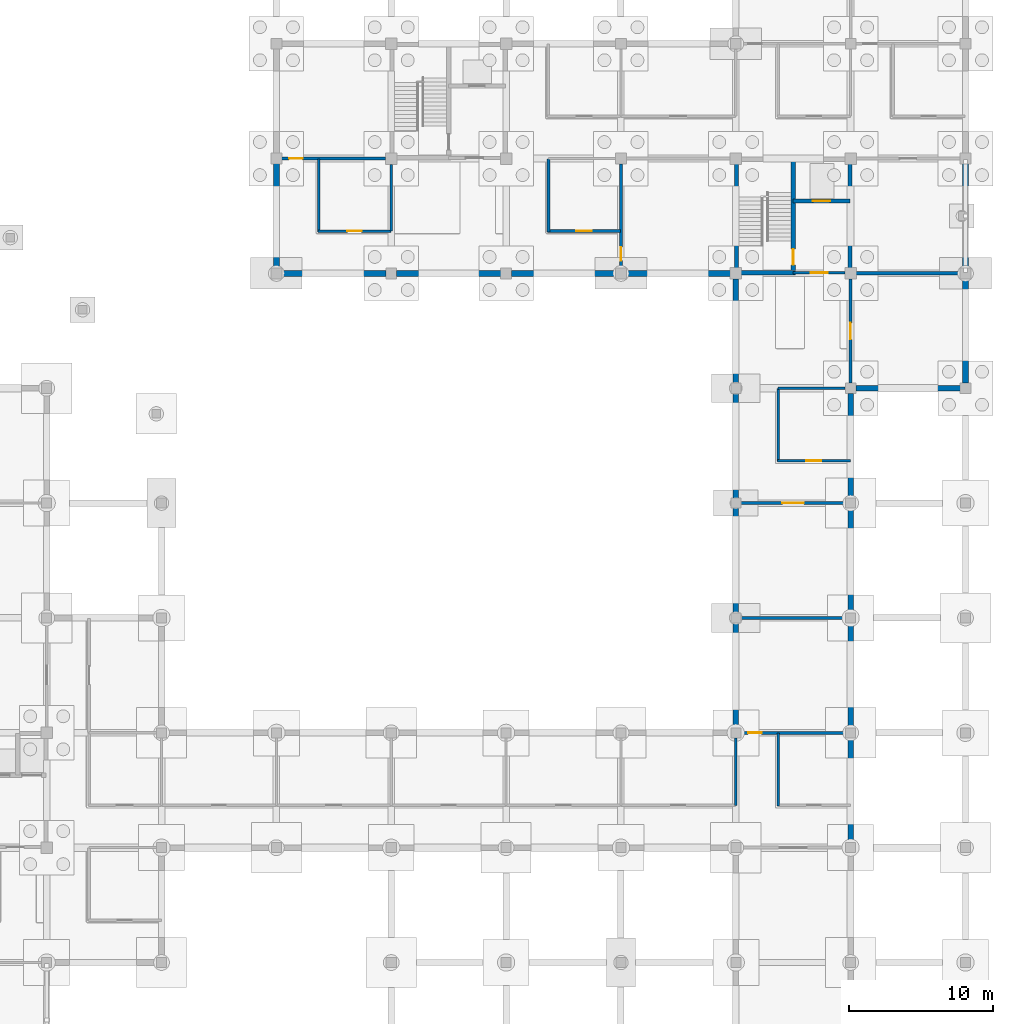
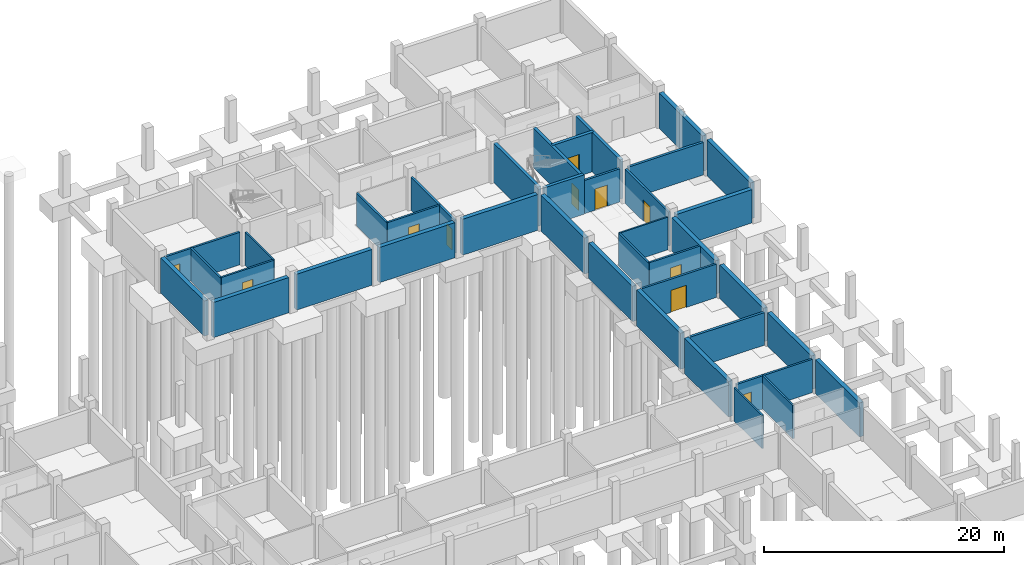
# One storey, part 37 of 48: 39 walls, 11 doors, 11 openings.
"""IFC4 building model written with IfcOpenShell, lengths in metres."""

from ifc_helpers import new_model, si_unit, derived_unit, direction, frame, frame_2d, origin, place, context, subcontext, project, spatial, rectangle, extrude, material, layer, layer_set, type_object, element, fill, save


model = new_model("IFC4")

# Units and contexts
model_context = context("Model", 3, precision=1e-05, world=origin(), true_north=direction((0.0, 1.0)))
body_context = subcontext(model_context, "Body", "Model", "MODEL_VIEW")
ifc_project = project(units=[si_unit("LENGTHUNIT", "METRE"), si_unit("AREAUNIT", "SQUARE_METRE"), si_unit("VOLUMEUNIT", "CUBIC_METRE"), si_unit("PLANEANGLEUNIT", "RADIAN"), si_unit("MASSUNIT", "GRAM", prefix="KILO"), derived_unit("THERMALTRANSMITTANCEUNIT", [(si_unit("MASSUNIT", "GRAM", prefix="KILO"), 1), (si_unit("TIMEUNIT", "SECOND"), -3), (si_unit("THERMODYNAMICTEMPERATUREUNIT", "KELVIN"), -1)])], contexts=[model_context])

# Site, building, storey
site_placement = place(None, origin())
site = spatial("IfcSite", under=ifc_project, at=site_placement, CompositionType="ELEMENT")
building_placement = place(site_placement, origin())
building = spatial("IfcBuilding", under=site, at=building_placement, Name="Veyamyaing Civic Hall", CompositionType="ELEMENT")
storey_placement = place(building_placement, frame((0.0, 0.0, -4.2900390625)))
storey = spatial("IfcBuildingStorey", under=building, at=storey_placement, Name="B1", CompositionType="ELEMENT", Elevation=-4.2900390625)

# Walls
ifc_material_1 = material(Name="Concrete C40/50", Category="concrete")
ifc_layer_1 = layer(ifc_material_1, 0.39990234375, Name="Concrete C40/50")
ifc_layer_set_1 = layer_set([ifc_layer_1], Name="Concrete C40/50")
wall_type_1 = type_object("IfcWallType", Name="WT-01", PredefinedType="SHEAR", material=ifc_layer_set_1)
for number, where, z_axis, x_axis, name in (
    (1, (128.360107421875, 88.0, 0.0), (0.0, 0.0, 1.0), (1.0, 0.0, 0.0), "Basement retaining wall WT-01 S 17.12"),
    (2, (128.0, 88.360107421875, 0.0), (0.0, 0.0, 1.0), (0.0, 1.0, 0.0), "Basement retaining wall WT-01 W 17.12"),
):
    element("IfcWall", number, at=place(storey_placement, frame(where, z_axis=z_axis, x_axis=x_axis)), inside=storey, type_object=wall_type_1, Name=name, PredefinedType="SHEAR", context=body_context, shape_type="SweptSolid", body=[
        extrude(rectangle(XDim=7.27978515625, YDim=0.39990234375, at=frame_2d((3.639892578125, 0.0))), origin(), (0.0, 0.0, 1.0), 3.593994140625),
    ])
wall_1_placement = place(storey_placement, frame((136.360107421875, 88.0, 0.0), z_axis=(0.0, 0.0, 1.0), x_axis=(1.0, 0.0, 0.0)))
element("IfcWall", 3, at=wall_1_placement, inside=storey, type_object=wall_type_1, Name="Basement retaining wall WT-01 S 18.12", PredefinedType="SHEAR", context=body_context, shape_type="SweptSolid", body=[
    extrude(rectangle(XDim=7.27978515625, YDim=0.39990234375, at=frame_2d((3.639892578125, 0.0))), origin(), (0.0, 0.0, 1.0), 3.656982421875),
])
wall_2_placement = place(storey_placement, frame((144.360107421875, 88.0, 0.0), z_axis=(0.0, 0.0, 1.0), x_axis=(1.0, 0.0, 0.0)))
element("IfcWall", 4, at=wall_2_placement, inside=storey, type_object=wall_type_1, Name="Basement retaining wall WT-01 S 19.12", PredefinedType="SHEAR", context=body_context, shape_type="SweptSolid", body=[
    extrude(rectangle(XDim=7.27978515625, YDim=0.39990234375, at=frame_2d((3.639892578125, 0.0))), origin(), (0.0, 0.0, 1.0), 3.590087890625),
])
wall_3_placement = place(storey_placement, frame((152.360107421875, 88.0, 0.0), z_axis=(0.0, 0.0, 1.0), x_axis=(1.0, 0.0, 0.0)))
element("IfcWall", 5, at=wall_3_placement, inside=storey, type_object=wall_type_1, Name="Basement retaining wall WT-01 S 20.12", PredefinedType="SHEAR", context=body_context, shape_type="SweptSolid", body=[
    extrude(rectangle(XDim=7.2548828125, YDim=0.39990234375, at=frame_2d((3.62744140625, 0.0))), origin(), (0.0, 0.0, 1.0), 3.654052734375),
])
wall_4_placement = place(storey_placement, frame((168.0, 48.3349609375, 0.0), z_axis=(0.0, 0.0, 1.0), x_axis=(0.0, 1.0, 0.0)))
element("IfcWall", 6, at=wall_4_placement, inside=storey, type_object=wall_type_1, Name="Basement retaining wall WT-01 E 21.7", PredefinedType="SHEAR", context=body_context, shape_type="SweptSolid", body=[
    extrude(rectangle(XDim=7.330078125, YDim=0.39990234375, at=frame_2d((3.6650390625, 0.0))), origin(), (0.0, 0.0, 1.0), 3.468017578125),
])
wall_5_placement = place(storey_placement, frame((160.0, 56.3349609375, 0.0), z_axis=(0.0, 0.0, 1.0), x_axis=(0.0, 1.0, 0.0)))
element("IfcWall", 7, at=wall_5_placement, inside=storey, type_object=wall_type_1, Name="Basement retaining wall WT-01 W 21.8", PredefinedType="SHEAR", context=body_context, shape_type="SweptSolid", body=[
    extrude(rectangle(XDim=7.330078125, YDim=0.39990234375, at=frame_2d((3.6650390625, 0.0))), origin(), (0.0, 0.0, 1.0), 3.60400390625),
])
wall_6_placement = place(storey_placement, frame((168.0, 56.3349609375, 0.0), z_axis=(0.0, 0.0, 1.0), x_axis=(0.0, 1.0, 0.0)))
element("IfcWall", 8, at=wall_6_placement, inside=storey, type_object=wall_type_1, Name="Basement retaining wall WT-01 E 21.8", PredefinedType="SHEAR", context=body_context, shape_type="SweptSolid", body=[
    extrude(rectangle(XDim=7.330078125, YDim=0.39990234375, at=frame_2d((3.6650390625, 0.0))), origin(), (0.0, 0.0, 1.0), 3.400146484375),
])
wall_7_placement = place(storey_placement, frame((160.0, 64.3349609375, 0.0), z_axis=(0.0, 0.0, 1.0), x_axis=(0.0, 1.0, 0.0)))
element("IfcWall", 9, at=wall_7_placement, inside=storey, type_object=wall_type_1, Name="Basement retaining wall WT-01 W 21.9", PredefinedType="SHEAR", context=body_context, shape_type="SweptSolid", body=[
    extrude(rectangle(XDim=7.330078125, YDim=0.39990234375, at=frame_2d((3.6650390625, 0.0))), origin(), (0.0, 0.0, 1.0), 3.6669921875),
])
wall_8_placement = place(storey_placement, frame((168.0, 64.3349609375, 0.0), z_axis=(0.0, 0.0, 1.0), x_axis=(0.0, 1.0, 0.0)))
element("IfcWall", 10, at=wall_8_placement, inside=storey, type_object=wall_type_1, Name="Basement retaining wall WT-01 E 21.9", PredefinedType="SHEAR", context=body_context, shape_type="SweptSolid", body=[
    extrude(rectangle(XDim=7.330078125, YDim=0.39990234375, at=frame_2d((3.6650390625, 0.0))), origin(), (0.0, 0.0, 1.0), 3.408935546875),
])
wall_9_placement = place(storey_placement, frame((160.0, 72.3349609375, 0.0), z_axis=(0.0, 0.0, 1.0), x_axis=(0.0, 1.0, 0.0)))
element("IfcWall", 11, at=wall_9_placement, inside=storey, type_object=wall_type_1, Name="Basement retaining wall WT-01 W 21.10", PredefinedType="SHEAR", context=body_context, shape_type="SweptSolid", body=[
    extrude(rectangle(XDim=7.330078125, YDim=0.39990234375, at=frame_2d((3.6650390625, 0.0))), origin(), (0.0, 0.0, 1.0), 3.60009765625),
])
wall_10_placement = place(storey_placement, frame((168.0, 72.3349609375, 0.0), z_axis=(0.0, 0.0, 1.0), x_axis=(0.0, 1.0, 0.0)))
element("IfcWall", 12, at=wall_10_placement, inside=storey, type_object=wall_type_1, Name="Basement retaining wall WT-01 E 21.10", PredefinedType="SHEAR", context=body_context, shape_type="SweptSolid", body=[
    extrude(rectangle(XDim=7.304931640625, YDim=0.39990234375, at=frame_2d((3.65234375, 0.0))), origin(), (0.0, 0.0, 1.0), 3.401123046875),
])
wall_11_placement = place(storey_placement, frame((160.0, 80.3349609375, 0.0), z_axis=(0.0, 0.0, 1.0), x_axis=(0.0, 1.0, 0.0)))
element("IfcWall", 13, at=wall_11_placement, inside=storey, type_object=wall_type_1, Name="Basement retaining wall WT-01 W 21.11", PredefinedType="SHEAR", context=body_context, shape_type="SweptSolid", body=[
    extrude(rectangle(XDim=7.280029296875, YDim=0.39990234375, at=frame_2d((3.64013671875, 0.0))), origin(), (0.0, 0.0, 1.0), 3.6640625),
])
wall_12_placement = place(storey_placement, frame((168.360107421875, 80.0, 0.0), z_axis=(0.0, 0.0, 1.0), x_axis=(1.0, 0.0, 0.0)))
element("IfcWall", 14, at=wall_12_placement, inside=storey, type_object=wall_type_1, Name="Basement retaining wall WT-01 S 22.11", PredefinedType="SHEAR", context=body_context, shape_type="SweptSolid", body=[
    extrude(rectangle(XDim=7.27978515625, YDim=0.39990234375, at=frame_2d((3.639892578125, 0.0))), origin(), (0.0, 0.0, 1.0), 3.401123046875),
])
wall_13_placement = place(storey_placement, frame((176.0, 80.360107421875, 0.0), z_axis=(0.0, 0.0, 1.0), x_axis=(0.0, 1.0, 0.0)))
element("IfcWall", 15, at=wall_13_placement, inside=storey, type_object=wall_type_1, Name="Basement retaining wall WT-01 E 22.11", PredefinedType="SHEAR", context=body_context, shape_type="SweptSolid", body=[
    extrude(rectangle(XDim=7.27978515625, YDim=0.39990234375, at=frame_2d((3.639892578125, 0.0))), origin(), (0.0, 0.0, 1.0), 3.6669921875),
])
wall_14_placement = place(storey_placement, frame((176.0, 88.360107421875, 0.0), z_axis=(0.0, 0.0, 1.0), x_axis=(0.0, 1.0, 0.0)))
element("IfcWall", 16, at=wall_14_placement, inside=storey, type_object=wall_type_1, Name="Basement retaining wall WT-01 E 22.12", PredefinedType="SHEAR", context=body_context, shape_type="SweptSolid", body=[
    extrude(rectangle(XDim=7.27978515625, YDim=0.39990234375, at=frame_2d((3.639892578125, 0.0))), origin(), (0.0, 0.0, 1.0), 3.590087890625),
])
ifc_layer_2 = layer(ifc_material_1, 0.300048828125, Name="Concrete C40/50")
ifc_layer_set_2 = layer_set([ifc_layer_2], Name="Concrete C40/50")
wall_type_2 = type_object("IfcWallType", Name="WT-05", PredefinedType="SHEAR", material=ifc_layer_set_2)
for number, where, z_axis, x_axis, name in (
    (17, (160.050048828125, 88.2900390625, 0.0), (0.0, 0.0, 1.0), (0.0, 1.0, 0.0), "Core shear wall WT-05 CORE-3 B1.W"),
    (18, (167.949951171875, 88.2900390625, 0.0), (0.0, 0.0, 1.0), (0.0, 1.0, 0.0), "Core shear wall WT-05 CORE-3 B1.E"),
):
    element("IfcWall", number, at=place(storey_placement, frame(where, z_axis=z_axis, x_axis=x_axis)), inside=storey, type_object=wall_type_2, Name=name, PredefinedType="SHEAR", context=body_context, shape_type="SweptSolid", body=[
        extrude(rectangle(XDim=7.419921875, YDim=0.300048828125, at=frame_2d((3.7099609375, 0.0))), origin(), (0.0, 0.0, 1.0), 4.01513671875),
    ])
wall_15_placement = place(storey_placement, frame((160.2900390625, 88.050048828125, 0.0), z_axis=(0.0, 0.0, 1.0), x_axis=(1.0, 0.0, 0.0)))
element("IfcWall", 19, at=wall_15_placement, inside=storey, type_object=wall_type_2, Name="Core shear wall WT-05 CORE-3 B1.SS", PredefinedType="SHEAR", context=body_context, shape_type="SweptSolid", body=[
    extrude(rectangle(XDim=3.85986328125, YDim=0.300048828125, at=frame_2d((1.929931640625, 0.0))), origin(), (0.0, 0.0, 1.0), 4.01513671875),
])

# Wall, opening, door
wall_16_placement = place(storey_placement, frame((164.0, 88.050048828125, 0.0), z_axis=(0.0, 0.0, 1.0), x_axis=(0.0, 1.0, 0.0)))
wall_16 = element("IfcWall", 20, at=wall_16_placement, inside=storey, type_object=wall_type_2, Name="Core shear wall WT-05 CORE-3 B1.MID", PredefinedType="SHEAR", context=body_context, shape_type="SweptSolid", body=[
    extrude(rectangle(XDim=7.89990234375, YDim=0.300048828125, at=frame_2d((3.949951171875, 0.0))), origin(), (0.0, 0.0, 1.0), 4.01513671875),
])
opening_1_placement = place(wall_16_placement, frame((0.550048828125, 0.0, 0.0)))
opening_1 = element("IfcOpeningElement", 21, at=opening_1_placement, cuts=wall_16, Name="Opening D-03", PredefinedType="OPENING", context=body_context, shape_type="SweptSolid", body=[
    extrude(rectangle(XDim=1.10009765625, YDim=2.14990234375, at=frame_2d((0.550048828125, 1.074951171875))), frame((0.0, 0.159912109375, 0.0), z_axis=(0.0, -1.0, 0.0), x_axis=(1.0, 0.0, 0.0)), (0.0, 0.0, 1.0), 0.320068359375),
])
ifc_material_2 = material(Name="Galvanized steel S355J2", Category="steel")
door_type_1 = type_object("IfcDoorType", Name="D-03", OperationType="NOTDEFINED", PredefinedType="DOOR", material=ifc_material_2)
door_1_placement = place(opening_1_placement, origin())
door_1 = element("IfcDoor", 22, at=door_1_placement, inside=storey, type_object=door_type_1, Name="Exit stair fire door D-03 ST-03 B1", OperationType="SINGLE_SWING_LEFT", OverallHeight=2.14990234375, OverallWidth=1.10009765625, PredefinedType="DOOR", context=body_context, shape_type="SweptSolid", body=[
    extrude(rectangle(XDim=1.10009765625, YDim=2.14990234375, at=frame_2d((0.550048828125, 1.074951171875))), frame((0.0, 0.02490234375, 0.0), z_axis=(0.0, -1.0, 0.0), x_axis=(1.0, 0.0, 0.0)), (0.0, 0.0, 1.0), 0.050048828125),
])
fill(opening_1, door_1)

wall_17_placement = place(storey_placement, frame((164.0, 93.050048828125, 0.0), z_axis=(0.0, 0.0, 1.0), x_axis=(1.0, 0.0, 0.0)))
wall_17 = element("IfcWall", 23, at=wall_17_placement, inside=storey, type_object=wall_type_2, Name="Core shear wall WT-05 CORE-3 B1.LFT", PredefinedType="SHEAR", context=body_context, shape_type="SweptSolid", body=[
    extrude(rectangle(XDim=3.949951171875, YDim=0.300048828125, at=frame_2d((1.97509765625, 0.0))), origin(), (0.0, 0.0, 1.0), 4.01513671875),
])
opening_2_placement = place(wall_17_placement, frame((1.375, 0.0, 0.0)))
opening_2 = element("IfcOpeningElement", 24, at=opening_2_placement, cuts=wall_17, Name="Opening LD-02", PredefinedType="OPENING", context=body_context, shape_type="SweptSolid", body=[
    extrude(rectangle(XDim=1.199951171875, YDim=2.199951171875, at=frame_2d((0.60009765625, 1.10009765625))), frame((0.0, 0.159912109375, 0.0), z_axis=(0.0, -1.0, 0.0), x_axis=(1.0, 0.0, 0.0)), (0.0, 0.0, 1.0), 0.320068359375),
])
door_type_2 = type_object("IfcDoorType", Name="LD-02", OperationType="SLIDING_TO_LEFT", PredefinedType="DOOR", material=ifc_material_2)
door_2_placement = place(opening_2_placement, origin())
door_2 = element("IfcDoor", 25, at=door_2_placement, inside=storey, type_object=door_type_2, Name="Lift sliding landing door LD-02 FL-02 B1", OperationType="SLIDING_TO_LEFT", OverallHeight=2.199951171875, OverallWidth=1.199951171875, PredefinedType="DOOR", context=body_context, shape_type="SweptSolid", body=[
    extrude(rectangle(XDim=1.199951171875, YDim=2.199951171875, at=frame_2d((0.60009765625, 1.10009765625))), frame((0.0, 0.02490234375, 0.0), z_axis=(0.0, -1.0, 0.0), x_axis=(1.0, 0.0, 0.0)), (0.0, 0.0, 1.0), 0.050048828125),
])
fill(opening_2, door_2)

ifc_layer_3 = layer(ifc_material_1, 0.199951171875, Name="Concrete C40/50")
ifc_layer_set_3 = layer_set([ifc_layer_3], Name="Concrete C40/50")
wall_type_3 = type_object("IfcWallType", Name="WT-06", PredefinedType="PARTITIONING", material=ifc_layer_set_3)
wall_18_placement = place(storey_placement, frame((164.0, 88.050048828125, 0.0), z_axis=(0.0, 0.0, 1.0), x_axis=(1.0, 0.0, 0.0)))
wall_18 = element("IfcWall", 26, at=wall_18_placement, inside=storey, type_object=wall_type_3, Name="Firefighting lift lobby wall WT-06 CORE-3 B1", PredefinedType="PARTITIONING", context=body_context, shape_type="SweptSolid", body=[
    extrude(rectangle(XDim=3.610107421875, YDim=0.199951171875, at=frame_2d((1.80517578125, 0.0))), origin(), (0.0, 0.0, 1.0), 3.384033203125),
])
opening_3_placement = place(wall_18_placement, frame((1.205078125, 0.0, 0.0)))
opening_3 = element("IfcOpeningElement", 27, at=opening_3_placement, cuts=wall_18, Name="Opening D-04", PredefinedType="OPENING", context=body_context, shape_type="SweptSolid", body=[
    extrude(rectangle(XDim=1.199951171875, YDim=2.14990234375, at=frame_2d((0.60009765625, 1.074951171875))), frame((0.0, 0.10986328125, 0.0), z_axis=(0.0, -1.0, 0.0), x_axis=(1.0, 0.0, 0.0)), (0.0, 0.0, 1.0), 0.219970703125),
])
door_type_3 = type_object("IfcDoorType", Name="D-04", OperationType="NOTDEFINED", PredefinedType="DOOR", material=ifc_material_2)
door_3_placement = place(opening_3_placement, frame((1.199951171875, 0.0, 0.0), z_axis=(0.0, 0.0, 1.0), x_axis=(-1.0, 0.0, 0.0)))
door_3 = element("IfcDoor", 28, at=door_3_placement, inside=storey, type_object=door_type_3, Name="Protected lobby fire door D-04 CORE-3 B1", OperationType="SINGLE_SWING_RIGHT", OverallHeight=2.14990234375, OverallWidth=1.199951171875, PredefinedType="DOOR", context=body_context, shape_type="SweptSolid", body=[
    extrude(rectangle(XDim=1.199951171875, YDim=2.14990234375, at=frame_2d((0.60009765625, 1.074951171875))), frame((0.0, 0.02490234375, 0.0), z_axis=(0.0, -1.0, 0.0), x_axis=(1.0, 0.0, 0.0)), (0.0, 0.0, 1.0), 0.050048828125),
])
fill(opening_3, door_3)

wall_19_placement = place(storey_placement, frame((128.364990234375, 96.0, 0.0), z_axis=(0.0, 0.0, 1.0), x_axis=(1.0, 0.0, 0.0)))
wall_19 = element("IfcWall", 29, at=wall_19_placement, inside=storey, type_object=wall_type_3, Name="Interior partition wall WT-06 B1.60", PredefinedType="PARTITIONING", context=body_context, shape_type="SweptSolid", body=[
    extrude(rectangle(XDim=7.2451171875, YDim=0.199951171875, at=frame_2d((3.62255859375, 0.0))), origin(), (0.0, 0.0, 1.0), 3.30712890625),
])
opening_4_placement = place(wall_19_placement, frame((0.52001953125, 0.0, 0.0)))
opening_4 = element("IfcOpeningElement", 30, at=opening_4_placement, cuts=wall_19, Name="Opening D-30", PredefinedType="OPENING", context=body_context, shape_type="SweptSolid", body=[
    extrude(rectangle(XDim=0.93994140625, YDim=2.1201171875, at=frame_2d((0.469970703125, 1.06005859375))), frame((0.0, 0.10986328125, 0.0), z_axis=(0.0, -1.0, 0.0), x_axis=(1.0, 0.0, 0.0)), (0.0, 0.0, 1.0), 0.219970703125),
])
ifc_material_3 = material(Name="Teak-veneered acoustic timber", Category="wood")
door_type_4 = type_object("IfcDoorType", Name="D-30", OperationType="NOTDEFINED", PredefinedType="DOOR", material=ifc_material_3)
door_4_placement = place(opening_4_placement, origin())
door_4 = element("IfcDoor", 31, at=door_4_placement, inside=storey, type_object=door_type_4, Name="Interior door D-30 B1.60", OperationType="SINGLE_SWING_RIGHT", OverallHeight=2.1201171875, OverallWidth=0.93994140625, PredefinedType="DOOR", context=body_context, shape_type="SweptSolid", body=[
    extrude(rectangle(XDim=0.93994140625, YDim=2.1201171875, at=frame_2d((0.469970703125, 1.06005859375))), frame((0.0, 0.02490234375, 0.0), z_axis=(0.0, -1.0, 0.0), x_axis=(1.0, 0.0, 0.0)), (0.0, 0.0, 1.0), 0.050048828125),
])
fill(opening_4, door_4)

wall_20_placement = place(storey_placement, frame((152.0, 88.364990234375, 0.0), z_axis=(0.0, 0.0, 1.0), x_axis=(0.0, 1.0, 0.0)))
wall_20 = element("IfcWall", 32, at=wall_20_placement, inside=storey, type_object=wall_type_3, Name="Interior partition wall WT-06 B1.61", PredefinedType="PARTITIONING", context=body_context, shape_type="SweptSolid", body=[
    extrude(rectangle(XDim=7.27001953125, YDim=0.199951171875, at=frame_2d((3.635009765625, 0.0))), origin(), (0.0, 0.0, 1.0), 3.384033203125),
])
opening_5_placement = place(wall_20_placement, frame((0.52001953125, 0.0, 0.0)))
opening_5 = element("IfcOpeningElement", 33, at=opening_5_placement, cuts=wall_20, Name="Opening D-30", PredefinedType="OPENING", context=body_context, shape_type="SweptSolid", body=[
    extrude(rectangle(XDim=0.93994140625, YDim=2.1201171875, at=frame_2d((0.469970703125, 1.06005859375))), frame((0.0, 0.10986328125, 0.0), z_axis=(0.0, -1.0, 0.0), x_axis=(1.0, 0.0, 0.0)), (0.0, 0.0, 1.0), 0.219970703125),
])
door_5_placement = place(opening_5_placement, frame((0.93994140625, 0.0, 0.0), z_axis=(0.0, 0.0, 1.0), x_axis=(-1.0, 0.0, 0.0)))
door_5 = element("IfcDoor", 34, at=door_5_placement, inside=storey, type_object=door_type_4, Name="Interior door D-30 B1.61", OperationType="SINGLE_SWING_LEFT", OverallHeight=2.1201171875, OverallWidth=0.93994140625, PredefinedType="DOOR", context=body_context, shape_type="SweptSolid", body=[
    extrude(rectangle(XDim=0.93994140625, YDim=2.1201171875, at=frame_2d((0.469970703125, 1.06005859375))), frame((0.0, 0.02490234375, 0.0), z_axis=(0.0, -1.0, 0.0), x_axis=(1.0, 0.0, 0.0)), (0.0, 0.0, 1.0), 0.050048828125),
])
fill(opening_5, door_5)

wall_21_placement = place(storey_placement, frame((160.340087890625, 56.0, 0.0), z_axis=(0.0, 0.0, 1.0), x_axis=(1.0, 0.0, 0.0)))
wall_21 = element("IfcWall", 35, at=wall_21_placement, inside=storey, type_object=wall_type_3, Name="Interior partition wall WT-06 B1.66", PredefinedType="PARTITIONING", context=body_context, shape_type="SweptSolid", body=[
    extrude(rectangle(XDim=7.31982421875, YDim=0.199951171875, at=frame_2d((3.659912109375, 0.0))), origin(), (0.0, 0.0, 1.0), 3.39404296875),
])
opening_6_placement = place(wall_21_placement, frame((0.52001953125, 0.0, 0.0)))
opening_6 = element("IfcOpeningElement", 36, at=opening_6_placement, cuts=wall_21, Name="Opening D-30", PredefinedType="OPENING", context=body_context, shape_type="SweptSolid", body=[
    extrude(rectangle(XDim=0.93994140625, YDim=2.1201171875, at=frame_2d((0.469970703125, 1.06005859375))), frame((0.0, 0.10986328125, 0.0), z_axis=(0.0, -1.0, 0.0), x_axis=(1.0, 0.0, 0.0)), (0.0, 0.0, 1.0), 0.219970703125),
])
door_6_placement = place(opening_6_placement, origin())
door_6 = element("IfcDoor", 37, at=door_6_placement, inside=storey, type_object=door_type_4, Name="Interior door D-30 B1.66", OperationType="SINGLE_SWING_RIGHT", OverallHeight=2.1201171875, OverallWidth=0.93994140625, PredefinedType="DOOR", context=body_context, shape_type="SweptSolid", body=[
    extrude(rectangle(XDim=0.93994140625, YDim=2.1201171875, at=frame_2d((0.469970703125, 1.06005859375))), frame((0.0, 0.02490234375, 0.0), z_axis=(0.0, -1.0, 0.0), x_axis=(1.0, 0.0, 0.0)), (0.0, 0.0, 1.0), 0.050048828125),
])
fill(opening_6, door_6)

wall_22_placement = place(storey_placement, frame((160.340087890625, 72.0, 0.0), z_axis=(0.0, 0.0, 1.0), x_axis=(1.0, 0.0, 0.0)))
wall_22 = element("IfcWall", 38, at=wall_22_placement, inside=storey, type_object=wall_type_3, Name="Interior partition wall WT-06 B1.68", PredefinedType="PARTITIONING", context=body_context, shape_type="SweptSolid", body=[
    extrude(rectangle(XDim=7.31982421875, YDim=0.199951171875, at=frame_2d((3.659912109375, 0.0))), origin(), (0.0, 0.0, 1.0), 3.39306640625),
])
opening_7_placement = place(wall_22_placement, frame((2.909912109375, 0.0, 0.0)))
opening_7 = element("IfcOpeningElement", 39, at=opening_7_placement, cuts=wall_22, Name="Opening D-10", PredefinedType="OPENING", context=body_context, shape_type="SweptSolid", body=[
    extrude(rectangle(XDim=1.5, YDim=2.25, at=frame_2d((0.75, 1.125))), frame((0.0, 0.10986328125, 0.0), z_axis=(0.0, -1.0, 0.0), x_axis=(1.0, 0.0, 0.0)), (0.0, 0.0, 1.0), 0.219970703125),
])
door_type_5 = type_object("IfcDoorType", Name="D-10", OperationType="DOUBLE_DOOR_SINGLE_SWING", PredefinedType="DOOR", material=ifc_material_2)
door_7_placement = place(opening_7_placement, frame((1.5, 0.0, 0.0), z_axis=(0.0, 0.0, 1.0), x_axis=(-1.0, 0.0, 0.0)))
door_7 = element("IfcDoor", 40, at=door_7_placement, inside=storey, type_object=door_type_5, Name="Interior door D-10 B1.68", OperationType="DOUBLE_DOOR_SINGLE_SWING", OverallHeight=2.25, OverallWidth=1.5, PredefinedType="DOOR", context=body_context, shape_type="SweptSolid", body=[
    extrude(rectangle(XDim=1.5, YDim=2.25, at=frame_2d((0.75, 1.125))), frame((0.0, 0.02490234375, 0.0), z_axis=(0.0, -1.0, 0.0), x_axis=(1.0, 0.0, 0.0)), (0.0, 0.0, 1.0), 0.050048828125),
])
fill(opening_7, door_7)

wall_23_placement = place(storey_placement, frame((168.0, 80.364990234375, 0.0), z_axis=(0.0, 0.0, 1.0), x_axis=(0.0, 1.0, 0.0)))
wall_23 = element("IfcWall", 41, at=wall_23_placement, inside=storey, type_object=wall_type_3, Name="Interior partition wall WT-06 B1.69", PredefinedType="PARTITIONING", context=body_context, shape_type="SweptSolid", body=[
    extrude(rectangle(XDim=7.2451171875, YDim=0.199951171875, at=frame_2d((3.62255859375, 0.0))), origin(), (0.0, 0.0, 1.0), 3.4609375),
])
opening_8_placement = place(wall_23_placement, frame((3.047607421875, 0.0, 0.0)))
opening_8 = element("IfcOpeningElement", 42, at=opening_8_placement, cuts=wall_23, Name="Opening D-17", PredefinedType="OPENING", context=body_context, shape_type="SweptSolid", body=[
    extrude(rectangle(XDim=1.14990234375, YDim=2.14990234375, at=frame_2d((0.574951171875, 1.074951171875))), frame((0.0, 0.10986328125, 0.0), z_axis=(0.0, -1.0, 0.0), x_axis=(1.0, 0.0, 0.0)), (0.0, 0.0, 1.0), 0.219970703125),
])
door_type_6 = type_object("IfcDoorType", Name="D-17", OperationType="NOTDEFINED", PredefinedType="DOOR", material=ifc_material_2)
door_8_placement = place(opening_8_placement, frame((1.14990234375, 0.0, 0.0), z_axis=(0.0, 0.0, 1.0), x_axis=(-1.0, 0.0, 0.0)))
door_8 = element("IfcDoor", 43, at=door_8_placement, inside=storey, type_object=door_type_6, Name="Interior door D-17 B1.69", OperationType="SINGLE_SWING_LEFT", OverallHeight=2.14990234375, OverallWidth=1.14990234375, PredefinedType="DOOR", context=body_context, shape_type="SweptSolid", body=[
    extrude(rectangle(XDim=1.14990234375, YDim=2.14990234375, at=frame_2d((0.574951171875, 1.074951171875))), frame((0.0, 0.02490234375, 0.0), z_axis=(0.0, -1.0, 0.0), x_axis=(1.0, 0.0, 0.0)), (0.0, 0.0, 1.0), 0.050048828125),
])
fill(opening_8, door_8)

ifc_material_4 = material(Name="Gypsum board on acoustic steel stud", Category="steel")
ifc_layer_4 = layer(ifc_material_4, 0.175048828125, Name="Gypsum board on acoustic steel stud")
ifc_layer_set_4 = layer_set([ifc_layer_4], Name="Gypsum board on acoustic steel stud")
wall_type_4 = type_object("IfcWallType", Name="WT-07", PredefinedType="PARTITIONING", material=ifc_layer_set_4)
wall_24_placement = place(storey_placement, frame((130.89990234375, 90.949951171875, 0.0), z_axis=(0.0, 0.0, 1.0), x_axis=(1.0, 0.0, 0.0)))
wall_24 = element("IfcWall", 44, at=wall_24_placement, inside=storey, type_object=wall_type_4, Name="Corridor gallery partition WT-07 B1.41.1", PredefinedType="PARTITIONING", context=body_context, shape_type="SweptSolid", body=[
    extrude(rectangle(XDim=5.080078125, YDim=0.175048828125, at=frame_2d((2.5400390625, 0.0))), origin(), (0.0, 0.0, 1.0), 3.383056640625),
])
opening_9_placement = place(wall_24_placement, frame((2.0400390625, 0.0, 0.0)))
opening_9 = element("IfcOpeningElement", 45, at=opening_9_placement, cuts=wall_24, Name="Opening D-13", PredefinedType="OPENING", context=body_context, shape_type="SweptSolid", body=[
    extrude(rectangle(XDim=1.0, YDim=2.14990234375, at=frame_2d((0.5, 1.074951171875))), frame((0.0, 0.097412109375, 0.0), z_axis=(0.0, -1.0, 0.0), x_axis=(1.0, 0.0, 0.0)), (0.0, 0.0, 1.0), 0.195068359375),
])
door_type_7 = type_object("IfcDoorType", Name="D-13", OperationType="NOTDEFINED", PredefinedType="DOOR", material=ifc_material_3)
door_9_placement = place(opening_9_placement, origin())
door_9 = element("IfcDoor", 46, at=door_9_placement, inside=storey, type_object=door_type_7, Name="Gallery office door D-13 B1.41", OperationType="SINGLE_SWING_LEFT", OverallHeight=2.14990234375, OverallWidth=1.0, PredefinedType="DOOR", context=body_context, shape_type="SweptSolid", body=[
    extrude(rectangle(XDim=1.0, YDim=2.14990234375, at=frame_2d((0.5, 1.074951171875))), frame((0.0, 0.02490234375, 0.0), z_axis=(0.0, -1.0, 0.0), x_axis=(1.0, 0.0, 0.0)), (0.0, 0.0, 1.0), 0.050048828125),
])
fill(opening_9, door_9)

# Walls
wall_25_placement = place(storey_placement, frame((130.949951171875, 90.89990234375, 0.0), z_axis=(0.0, 0.0, 1.0), x_axis=(0.0, 1.0, 0.0)))
element("IfcWall", 47, at=wall_25_placement, inside=storey, type_object=wall_type_4, Name="Corridor gallery partition WT-07 B1.41.2", PredefinedType="PARTITIONING", context=body_context, shape_type="SweptSolid", body=[
    extrude(rectangle(XDim=5.080078125, YDim=0.175048828125, at=frame_2d((2.5400390625, 0.0))), origin(), (0.0, 0.0, 1.0), 3.30712890625),
])
wall_26_placement = place(storey_placement, frame((162.949951171875, 50.89990234375, 0.0), z_axis=(0.0, 0.0, 1.0), x_axis=(0.0, 1.0, 0.0)))
element("IfcWall", 48, at=wall_26_placement, inside=storey, type_object=wall_type_4, Name="Corridor gallery partition WT-07 B1.49.2", PredefinedType="PARTITIONING", context=body_context, shape_type="SweptSolid", body=[
    extrude(rectangle(XDim=5.080078125, YDim=0.175048828125, at=frame_2d((2.5400390625, 0.0))), origin(), (0.0, 0.0, 1.0), 3.39404296875),
])
ifc_material_5 = material(Name="Gypsum board on steel stud", Category="steel")
ifc_layer_5 = layer(ifc_material_5, 0.14990234375, Name="Gypsum board on steel stud")
ifc_layer_set_5 = layer_set([ifc_layer_5], Name="Gypsum board on steel stud")
wall_type_5 = type_object("IfcWallType", Name="WT-08", PredefinedType="PARTITIONING", material=ifc_layer_set_5)
wall_27_placement = place(storey_placement, frame((136.0, 90.949951171875, 0.0), z_axis=(0.0, 0.0, 1.0), x_axis=(0.0, 1.0, 0.0)))
element("IfcWall", 49, at=wall_27_placement, inside=storey, type_object=wall_type_5, Name="Gallery office end partition WT-08 B1.41.2", PredefinedType="PARTITIONING", context=body_context, shape_type="SweptSolid", body=[
    extrude(rectangle(XDim=4.64013671875, YDim=0.14990234375, at=frame_2d((2.320068359375, 0.0))), origin(), (0.0, 0.0, 1.0), 3.383056640625),
])
wall_28_placement = place(storey_placement, frame((160.0, 50.949951171875, 0.0), z_axis=(0.0, 0.0, 1.0), x_axis=(0.0, 1.0, 0.0)))
element("IfcWall", 50, at=wall_28_placement, inside=storey, type_object=wall_type_5, Name="Gallery office end partition WT-08 B1.46.2", PredefinedType="PARTITIONING", context=body_context, shape_type="SweptSolid", body=[
    extrude(rectangle(XDim=4.68994140625, YDim=0.14990234375, at=frame_2d((2.344970703125, 0.0))), origin(), (0.0, 0.0, 1.0), 3.39404296875),
])
wall_29_placement = place(storey_placement, frame((162.949951171875, 80.0, 0.0), z_axis=(0.0, 0.0, 1.0), x_axis=(1.0, 0.0, 0.0)))
element("IfcWall", 51, at=wall_29_placement, inside=storey, type_object=wall_type_5, Name="Gallery office end partition WT-08 B1.50.1", PredefinedType="PARTITIONING", context=body_context, shape_type="SweptSolid", body=[
    extrude(rectangle(XDim=4.6650390625, YDim=0.14990234375, at=frame_2d((2.33251953125, 0.0))), origin(), (0.0, 0.0, 1.0), 3.325927734375),
])
ifc_layer_6 = layer(ifc_material_1, 0.235107421875, Name="Concrete C40/50")
ifc_layer_set_6 = layer_set([ifc_layer_6], Name="Concrete C40/50")
wall_type_6 = type_object("IfcWallType", Name="WT-13", PredefinedType="PARTITIONING", material=ifc_layer_set_6)
wall_30_placement = place(storey_placement, frame((160.340087890625, 64.0, 0.0), z_axis=(0.0, 0.0, 1.0), x_axis=(1.0, 0.0, 0.0)))
element("IfcWall", 52, at=wall_30_placement, inside=storey, type_object=wall_type_6, Name="Interior partition wall WT-13 B1.67", PredefinedType="PARTITIONING", context=body_context, shape_type="SweptSolid", body=[
    extrude(rectangle(XDim=7.31982421875, YDim=0.235107421875, at=frame_2d((3.659912109375, 0.0))), origin(), (0.0, 0.0, 1.0), 3.317138671875),
])
wall_31_placement = place(storey_placement, frame((168.389892578125, 88.0, 0.0), z_axis=(0.0, 0.0, 1.0), x_axis=(1.0, 0.0, 0.0)))
element("IfcWall", 53, at=wall_31_placement, inside=storey, type_object=wall_type_6, Name="Interior partition wall WT-13 B1.72", PredefinedType="PARTITIONING", context=body_context, shape_type="SweptSolid", body=[
    extrude(rectangle(XDim=7.2451171875, YDim=0.235107421875, at=frame_2d((3.62255859375, 0.0))), origin(), (0.0, 0.0, 1.0), 3.30712890625),
])

# Wall, opening, door
ifc_material_6 = material(Name="Gypsum board on double acoustic stud")
ifc_layer_7 = layer(ifc_material_6, 0.18505859375, Name="Gypsum board on double acoustic stud")
ifc_layer_set_7 = layer_set([ifc_layer_7], Name="Gypsum board on double acoustic stud")
wall_type_7 = type_object("IfcWallType", Name="WT-19", PredefinedType="PARTITIONING", material=ifc_layer_set_7)
wall_32_placement = place(storey_placement, frame((146.89990234375, 90.949951171875, 0.0), z_axis=(0.0, 0.0, 1.0), x_axis=(1.0, 0.0, 0.0)))
wall_32 = element("IfcWall", 54, at=wall_32_placement, inside=storey, type_object=wall_type_7, Name="Corridor gallery partition WT-19 B1.44.1", PredefinedType="PARTITIONING", context=body_context, shape_type="SweptSolid", body=[
    extrude(rectangle(XDim=5.080078125, YDim=0.18505859375, at=frame_2d((2.5400390625, 0.0))), origin(), (0.0, 0.0, 1.0), 3.384033203125),
])
opening_10_placement = place(wall_32_placement, frame((2.0, 0.0, 0.0)))
opening_10 = element("IfcOpeningElement", 55, at=opening_10_placement, cuts=wall_32, Name="Opening D-23", PredefinedType="OPENING", context=body_context, shape_type="SweptSolid", body=[
    extrude(rectangle(XDim=1.080078125, YDim=2.199951171875, at=frame_2d((0.5400390625, 1.10009765625))), frame((0.0, 0.1025390625, 0.0), z_axis=(0.0, -1.0, 0.0), x_axis=(1.0, 0.0, 0.0)), (0.0, 0.0, 1.0), 0.205078125),
])
door_type_8 = type_object("IfcDoorType", Name="D-23", OperationType="NOTDEFINED", PredefinedType="DOOR", material=ifc_material_3)
door_10_placement = place(opening_10_placement, origin())
door_10 = element("IfcDoor", 56, at=door_10_placement, inside=storey, type_object=door_type_8, Name="Gallery office door D-23 B1.44", OperationType="SINGLE_SWING_RIGHT", OverallHeight=2.199951171875, OverallWidth=1.080078125, PredefinedType="DOOR", context=body_context, shape_type="SweptSolid", body=[
    extrude(rectangle(XDim=1.080078125, YDim=2.199951171875, at=frame_2d((0.5400390625, 1.10009765625))), frame((0.0, 0.02490234375, 0.0), z_axis=(0.0, -1.0, 0.0), x_axis=(1.0, 0.0, 0.0)), (0.0, 0.0, 1.0), 0.050048828125),
])
fill(opening_10, door_10)

# Wall
wall_33_placement = place(storey_placement, frame((146.949951171875, 90.89990234375, 0.0), z_axis=(0.0, 0.0, 1.0), x_axis=(0.0, 1.0, 0.0)))
element("IfcWall", 57, at=wall_33_placement, inside=storey, type_object=wall_type_7, Name="Corridor gallery partition WT-19 B1.44.2", PredefinedType="PARTITIONING", context=body_context, shape_type="SweptSolid", body=[
    extrude(rectangle(XDim=5.080078125, YDim=0.18505859375, at=frame_2d((2.5400390625, 0.0))), origin(), (0.0, 0.0, 1.0), 3.31591796875),
])

# Wall, opening, door
wall_34_placement = place(storey_placement, frame((162.89990234375, 74.949951171875, 0.0), z_axis=(0.0, 0.0, 1.0), x_axis=(1.0, 0.0, 0.0)))
wall_34 = element("IfcWall", 58, at=wall_34_placement, inside=storey, type_object=wall_type_7, Name="Corridor gallery partition WT-19 B1.50.1", PredefinedType="PARTITIONING", context=body_context, shape_type="SweptSolid", body=[
    extrude(rectangle(XDim=5.080078125, YDim=0.18505859375, at=frame_2d((2.5400390625, 0.0))), origin(), (0.0, 0.0, 1.0), 3.39404296875),
])
opening_11_placement = place(wall_34_placement, frame((2.014892578125, 0.0, 0.0)))
opening_11 = element("IfcOpeningElement", 59, at=opening_11_placement, cuts=wall_34, Name="Opening D-12", PredefinedType="OPENING", context=body_context, shape_type="SweptSolid", body=[
    extrude(rectangle(XDim=1.050048828125, YDim=2.14990234375, at=frame_2d((0.52490234375, 1.074951171875))), frame((0.0, 0.1025390625, 0.0), z_axis=(0.0, -1.0, 0.0), x_axis=(1.0, 0.0, 0.0)), (0.0, 0.0, 1.0), 0.205078125),
])
door_type_9 = type_object("IfcDoorType", Name="D-12", OperationType="NOTDEFINED", PredefinedType="DOOR", material=ifc_material_3)
door_11_placement = place(opening_11_placement, origin())
door_11 = element("IfcDoor", 60, at=door_11_placement, inside=storey, type_object=door_type_9, Name="Gallery office door D-12 B1.50", OperationType="SINGLE_SWING_RIGHT", OverallHeight=2.14990234375, OverallWidth=1.050048828125, PredefinedType="DOOR", context=body_context, shape_type="SweptSolid", body=[
    extrude(rectangle(XDim=1.050048828125, YDim=2.14990234375, at=frame_2d((0.52490234375, 1.074951171875))), frame((0.0, 0.02490234375, 0.0), z_axis=(0.0, -1.0, 0.0), x_axis=(1.0, 0.0, 0.0)), (0.0, 0.0, 1.0), 0.050048828125),
])
fill(opening_11, door_11)

# Wall
wall_35_placement = place(storey_placement, frame((162.949951171875, 74.89990234375, 0.0), z_axis=(0.0, 0.0, 1.0), x_axis=(0.0, 1.0, 0.0)))
element("IfcWall", 61, at=wall_35_placement, inside=storey, type_object=wall_type_7, Name="Corridor gallery partition WT-19 B1.50.2", PredefinedType="PARTITIONING", context=body_context, shape_type="SweptSolid", body=[
    extrude(rectangle(XDim=5.080078125, YDim=0.18505859375, at=frame_2d((2.5400390625, 0.0))), origin(), (0.0, 0.0, 1.0), 3.325927734375),
])

save(model, "model.ifc")
